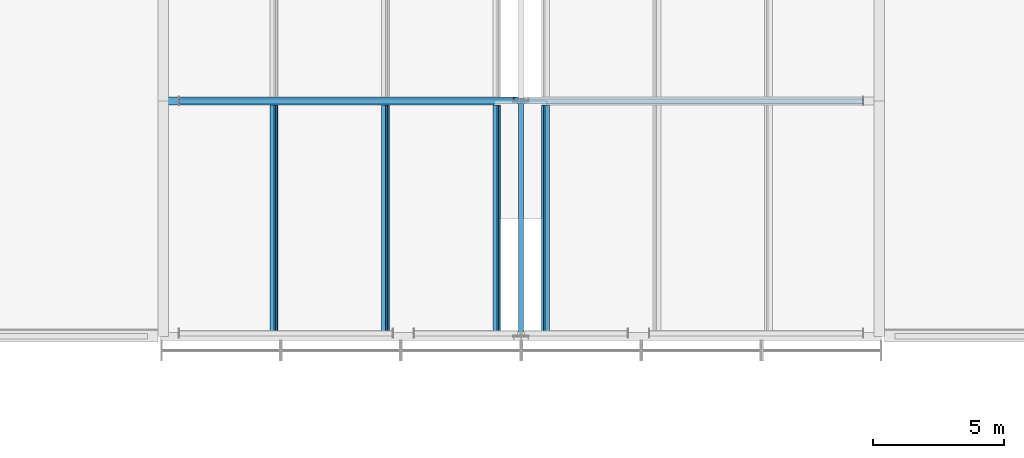
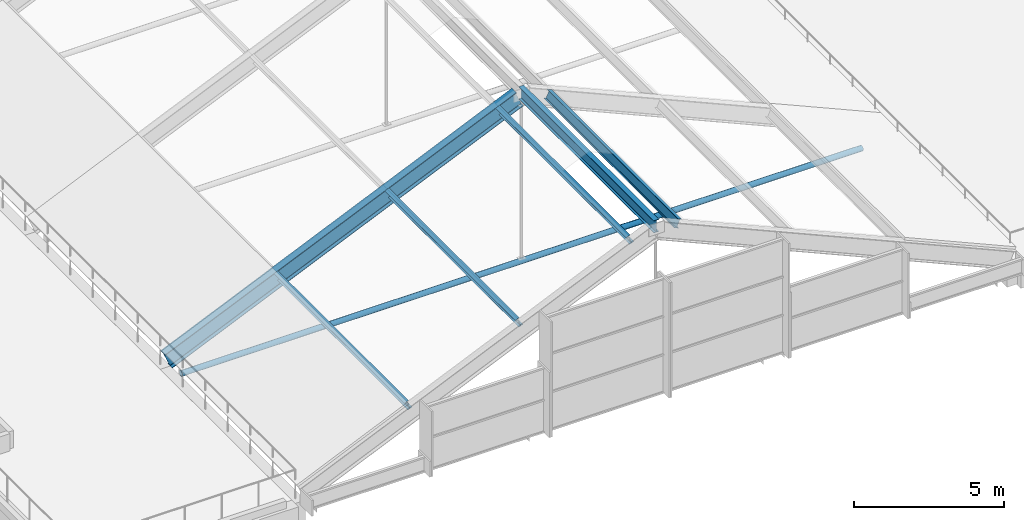
# One storey, part 38 of 106: 6 members, 1 beam.
"""IFC4 building model written with IfcOpenShell, lengths in metres."""

from ifc_helpers import new_model, si_unit, direction, frame, origin, origin_2d, place, context, subcontext, project, spatial, hollow_circle, i_section, extrude, material, material_profile, profile_set, type_object, element, save


model = new_model("IFC4")

# Units and contexts
model_context = context("Model", 3, precision=1e-05, world=origin(), true_north=direction((0.0, 1.0)))
body_context = subcontext(model_context, "Body", "Model", "MODEL_VIEW")
ifc_project = project(units=[si_unit("LENGTHUNIT", "METRE"), si_unit("AREAUNIT", "SQUARE_METRE"), si_unit("VOLUMEUNIT", "CUBIC_METRE"), si_unit("PLANEANGLEUNIT", "RADIAN"), si_unit("MASSUNIT", "GRAM", prefix="KILO")], contexts=[model_context])

# Site, building, storey
site_placement = place(None, origin())
site = spatial("IfcSite", under=ifc_project, at=site_placement, CompositionType="ELEMENT")
building_placement = place(site_placement, origin())
building = spatial("IfcBuilding", under=site, at=building_placement, Name="Guidao Yard Department Store", CompositionType="ELEMENT")
storey_placement = place(building_placement, frame((0.0, 0.0, 10.5)))
storey = spatial("IfcBuildingStorey", under=building, at=storey_placement, Name="L02", CompositionType="ELEMENT", Elevation=10.5)

# Members
ifc_material_1 = material(Name="Steel Q355B", Category="steel")
ifc_material_profile_1 = material_profile(ifc_material_1, hollow_circle(Radius=0.109619140625, WallThickness=0.010009765625, at=origin_2d()), Name="CHS 219x10")
ifc_profile_set_1 = profile_set([ifc_material_profile_1], Name="Steel Q355B")
member_type_1 = type_object("IfcMemberType", Name="CHS 219x10", PredefinedType="BRACE", material=ifc_profile_set_1)
member_1_placement = place(storey_placement, frame((126.39990234375, 63.0, -0.449951171875), z_axis=(1.0, 0.0, 0.0), x_axis=(0.0, 1.0, 0.0)))
element("IfcMember", 1, at=member_1_placement, inside=storey, type_object=member_type_1, Name="Roof tie rod F02", PredefinedType="BRACE", context=body_context, shape_type="SweptSolid", body=[
    extrude(hollow_circle(Radius=0.109619140625, WallThickness=0.010009765625, at=origin_2d()), origin(), (0.0, 0.0, 1.0), 26.2001953125),
])
ifc_material_2 = material(Name="Steel Q355B", Category="steel")
ifc_material_profile_2 = material_profile(ifc_material_2, i_section(OverallWidth=0.175048828125, OverallDepth=0.35009765625, WebThickness=0.007080078125, FlangeThickness=0.010986328125, FilletRadius=0.012939453125, at=origin_2d()), Name="HN 350x175x7x11")
ifc_profile_set_2 = profile_set([ifc_material_profile_2], Name="Steel Q355B")
member_type_2 = type_object("IfcMemberType", Name="HN 350x175x7x11", PredefinedType="PURLIN", material=ifc_profile_set_2)
for number, where, z_axis, x_axis, name in (
    (2, (130.039306640625, 54.14990234375, 2.354736328125), (0.0, 1.0, 0.0), (-0.915526159115, 0.0, -0.402258439285), "Roof purlin F01-01"),
    (3, (134.304931640625, 54.14990234375, 4.22900390625), (0.0, 1.0, 0.0), (-0.915526159115, 0.0, -0.402258439285), "Roof purlin F01-02"),
    (4, (138.5703125, 54.14990234375, 6.10302734375), (0.0, 1.0, 0.0), (-0.915526159115, 0.0, -0.402258439285), "Roof purlin F01-03"),
    (5, (140.4296875, 54.14990234375, 6.10302734375), (0.0, 1.0, 0.0), (-0.915526159115, 0.0, 0.402258439285), "Roof purlin F01-05"),
):
    element("IfcMember", number, at=place(storey_placement, frame(where, z_axis=z_axis, x_axis=x_axis)), inside=storey, type_object=member_type_2, Name=name, PredefinedType="PURLIN", context=body_context, shape_type="SweptSolid", body=[
        extrude(i_section(OverallWidth=0.175048828125, OverallDepth=0.35009765625, WebThickness=0.007080078125, FlangeThickness=0.010986328125, FilletRadius=0.012939453125, at=origin_2d()), origin(), (0.0, 0.0, 1.0), 8.7001953125),
    ])
ifc_material_3 = material(Name="Steel Q355B", Category="steel")
ifc_material_profile_3 = material_profile(ifc_material_3, i_section(OverallWidth=0.199951171875, OverallDepth=0.5, WebThickness=0.010009765625, FlangeThickness=0.01611328125, FilletRadius=0.012939453125, at=origin_2d()), Name="HN 500x200x10x16")
ifc_profile_set_3 = profile_set([ifc_material_profile_3], Name="Steel Q355B")
member_type_3 = type_object("IfcMemberType", Name="HN 500x200x10x16", PredefinedType="PURLIN", material=ifc_profile_set_3)
member_2_placement = place(storey_placement, frame((139.5, 54.0, 6.415771484375), z_axis=(0.0, 1.0, 0.0), x_axis=(-1.0, 0.0, 0.0)))
element("IfcMember", 6, at=member_2_placement, inside=storey, type_object=member_type_3, Name="Roof ridge purlin F01-04", PredefinedType="PURLIN", context=body_context, shape_type="SweptSolid", body=[
    extrude(i_section(OverallWidth=0.199951171875, OverallDepth=0.5, WebThickness=0.010009765625, FlangeThickness=0.01611328125, FilletRadius=0.012939453125, at=origin_2d()), origin(), (0.0, 0.0, 1.0), 9.0),
])

# Beam
ifc_material_4 = material(Name="Steel Q355B", Category="steel")
ifc_material_profile_4 = material_profile(ifc_material_4, i_section(OverallWidth=0.300048828125, OverallDepth=0.699951171875, WebThickness=0.012939453125, FlangeThickness=0.02392578125, FilletRadius=0.01806640625, at=origin_2d()), Name="HN 700x300x13x24")
ifc_profile_set_4 = profile_set([ifc_material_profile_4], Name="Steel Q355B")
beam_type = type_object("IfcBeamType", Name="HN 700x300x13x24", PredefinedType="BEAM", material=ifc_profile_set_4)
beam_placement = place(storey_placement, frame((125.84423828125, 63.0, 0.3203125), z_axis=(0.915522684048, 0.0, 0.402266348323), x_axis=(0.0, 1.0, 0.0)))
element("IfcBeam", 7, at=beam_placement, inside=storey, type_object=beam_type, Name="Roof rib F02-01", PredefinedType="BEAM", context=body_context, shape_type="SweptSolid", body=[
    extrude(i_section(OverallWidth=0.300048828125, OverallDepth=0.699951171875, WebThickness=0.012939453125, FlangeThickness=0.02392578125, FilletRadius=0.01806640625, at=origin_2d()), origin(), (0.0, 0.0, 1.0), 14.761962890625),
])

save(model, "model.ifc")
